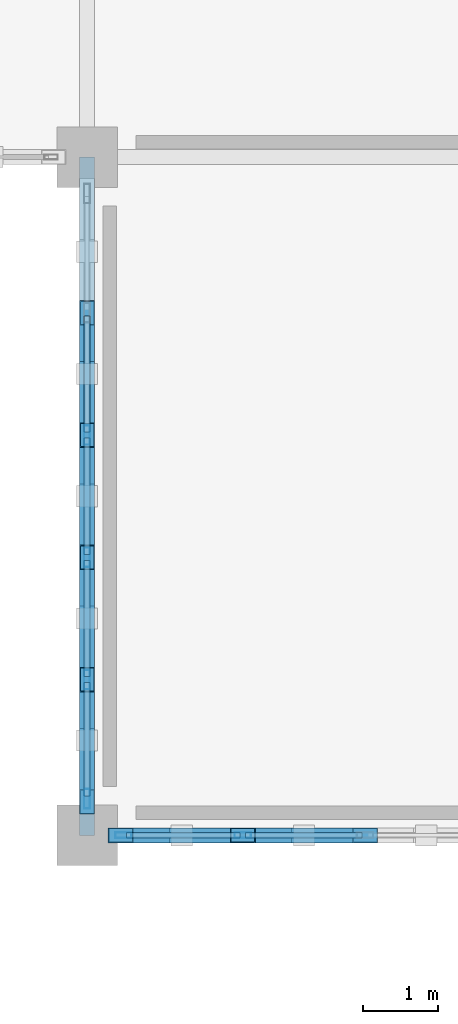
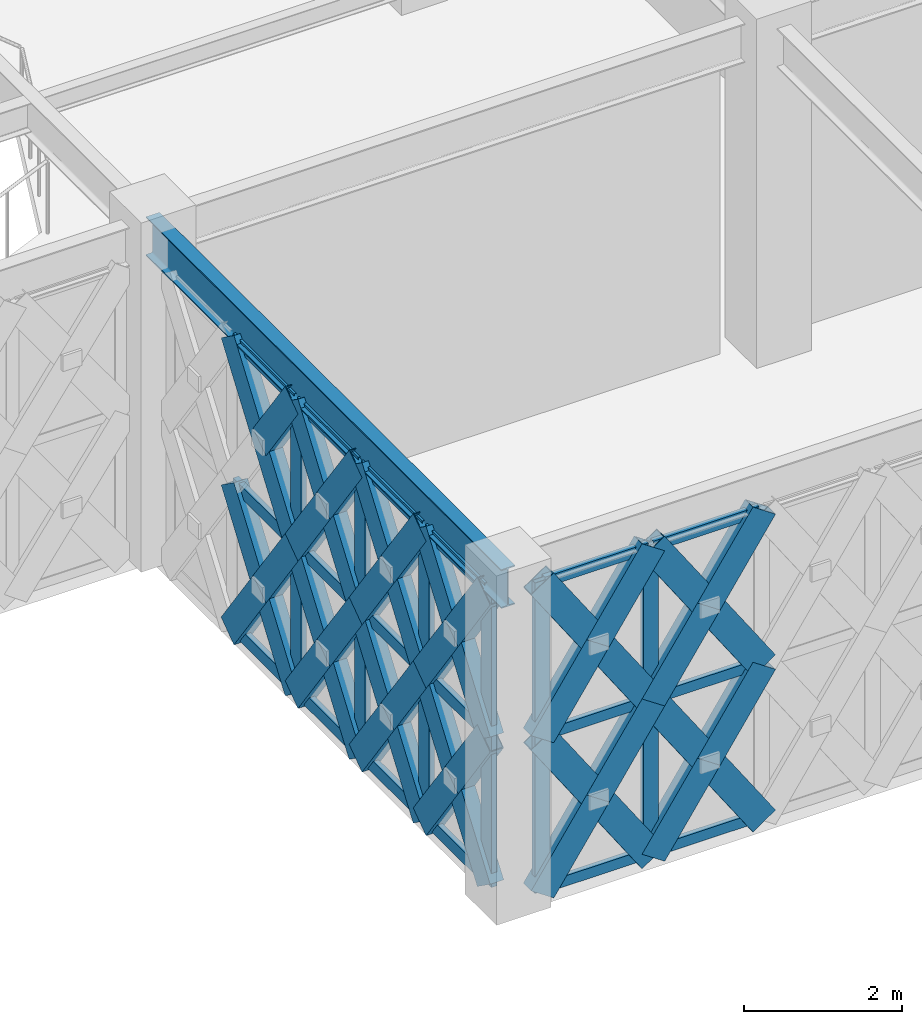
# One storey, part 2 of 86: 59 members, 1 beam, 2 elements without a shape of their own.
"""IFC4 building model written with IfcOpenShell, lengths in metres."""

from ifc_helpers import new_model, si_unit, direction, frame, origin, origin_2d, place, context, subcontext, project, spatial, hollow_rectangle, i_section, extrude, material, material_profile, profile_set, type_object, element, aggregate, save


model = new_model("IFC4")

# Units and contexts
model_context = context("Model", 3, precision=1e-05, world=origin(), true_north=direction((0.0, 1.0)))
body_context = subcontext(model_context, "Body", "Model", "MODEL_VIEW")
ifc_project = project(units=[si_unit("LENGTHUNIT", "METRE"), si_unit("AREAUNIT", "SQUARE_METRE"), si_unit("VOLUMEUNIT", "CUBIC_METRE"), si_unit("PLANEANGLEUNIT", "RADIAN"), si_unit("MASSUNIT", "GRAM", prefix="KILO")], contexts=[model_context])

# Site, building, storey
site_placement = place(None, origin())
site = spatial("IfcSite", under=ifc_project, at=site_placement, CompositionType="ELEMENT")
building_placement = place(site_placement, origin())
building = spatial("IfcBuilding", under=site, at=building_placement, Name="Haizhuo Lancet Aquarium", CompositionType="ELEMENT")
storey_placement = place(building_placement, frame((0.0, 0.0, 16.199951171875)))
storey = spatial("IfcBuildingStorey", under=building, at=storey_placement, Name="L03", CompositionType="ELEMENT", Elevation=16.199951171875)

# Beam
ifc_material_1 = material(Name="Steel S355", Category="steel")
ifc_material_profile_1 = material_profile(ifc_material_1, i_section(OverallWidth=0.199951171875, OverallDepth=0.60009765625, WebThickness=0.010986328125, FlangeThickness=0.01708984375, FilletRadius=0.02197265625, at=origin_2d()), Name="HN 600x200x11x17")
ifc_profile_set_1 = profile_set([ifc_material_profile_1], Name="Steel S355")
beam_type = type_object("IfcBeamType", Name="BM-ST-HN600", PredefinedType="BEAM", material=ifc_profile_set_1)
beam_placement = place(storey_placement, frame((-54.0, -36.0, 4.85009765625), z_axis=(0.0, 1.0, 0.0), x_axis=(-1.0, 0.0, 0.0)))
element("IfcBeam", 1, at=beam_placement, inside=storey, type_object=beam_type, Name="L03 V6 primary girder BM-L03-V6-014", PredefinedType="BEAM", context=body_context, shape_type="SweptSolid", body=[
    extrude(i_section(OverallWidth=0.199951171875, OverallDepth=0.60009765625, WebThickness=0.010986328125, FlangeThickness=0.01708984375, FilletRadius=0.02197265625, at=origin_2d()), origin(), (0.0, 0.0, 1.0), 9.0),
])

# Curtain wall, members
ifc_material_2 = material(Name="Aluminium 6063-T6", Category="aluminium")
curtain_wall_type_1 = type_object("IfcCurtainWallType", Name="CWD-8110x4800", PredefinedType="NOTDEFINED", material=ifc_material_2)
curtain_wall_1_placement = place(storey_placement, origin())
curtain_wall_1 = element("IfcCurtainWall", 2, at=curtain_wall_1_placement, inside=storey, type_object=curtain_wall_type_1, Name="L03 curtain wall CW-V6-L03-239", PredefinedType="NOTDEFINED")
ifc_material_profile_2 = material_profile(ifc_material_2, hollow_rectangle(XDim=0.074951171875, YDim=0.219970703125, WallThickness=0.0048828125, at=origin_2d()), Name="ALU-M 75x220x5")
ifc_profile_set_2 = profile_set([ifc_material_profile_2], Name="Aluminium 6063-T6")
member_type_1 = type_object("IfcMemberType", Name="CW-MUL-2", PredefinedType="MULLION", material=ifc_profile_set_2)
member_1_placement = place(storey_placement, frame((-51.93310546875, -36.0, 0.0), z_axis=(0.0, 0.0, 1.0), x_axis=(0.0, -1.0, 0.0)))
member_1 = element("IfcMember", 3, at=member_1_placement, type_object=member_type_1, Name="CWD-81x48 mullion 5", PredefinedType="MULLION", context=body_context, shape_type="SweptSolid", body=[
    extrude(hollow_rectangle(XDim=0.074951171875, YDim=0.219970703125, WallThickness=0.0048828125, at=origin_2d()), origin(), (0.0, 0.0, 1.0), 4.800048828125),
])
member_2_placement = place(storey_placement, frame((-53.51708984375, -36.0, 0.0), z_axis=(0.0, 0.0, 1.0), x_axis=(0.0, -1.0, 0.0)))
member_2 = element("IfcMember", 4, at=member_2_placement, type_object=member_type_1, Name="CWD-81x48 mullion 6", PredefinedType="MULLION", context=body_context, shape_type="SweptSolid", body=[
    extrude(hollow_rectangle(XDim=0.074951171875, YDim=0.219970703125, WallThickness=0.0048828125, at=origin_2d()), origin(), (0.0, 0.0, 1.0), 4.800048828125),
])

curtain_wall_type_2 = type_object("IfcCurtainWallType", Name="CWD-8110x4550", PredefinedType="NOTDEFINED", material=ifc_material_2)
curtain_wall_2_placement = place(storey_placement, origin())
curtain_wall_2 = element("IfcCurtainWall", 5, at=curtain_wall_2_placement, inside=storey, type_object=curtain_wall_type_2, Name="L03 curtain wall CW-V6-L03-240", PredefinedType="NOTDEFINED")
ifc_material_profile_3 = material_profile(ifc_material_2, hollow_rectangle(XDim=0.080078125, YDim=0.260009765625, WallThickness=0.0048828125, at=origin_2d()), Name="ALU-M 80x260x5")
ifc_profile_set_3 = profile_set([ifc_material_profile_3], Name="Aluminium 6063-T6")
member_type_2 = type_object("IfcMemberType", Name="CW-MUL-3", PredefinedType="MULLION", material=ifc_profile_set_3)
member_3_placement = place(storey_placement, frame((-54.0, -35.514892578125, 0.0), z_axis=(0.0, 0.0, 1.0), x_axis=(-1.0, 0.0, 0.0)))
member_3 = element("IfcMember", 6, at=member_3_placement, type_object=member_type_2, Name="CWD-81x45 mullion 1", PredefinedType="MULLION", context=body_context, shape_type="SweptSolid", body=[
    extrude(hollow_rectangle(XDim=0.080078125, YDim=0.260009765625, WallThickness=0.0048828125, at=origin_2d()), origin(), (0.0, 0.0, 1.0), 4.550048828125),
])
member_4_placement = place(storey_placement, frame((-54.0, -33.93310546875, 0.0), z_axis=(0.0, 0.0, 1.0), x_axis=(-1.0, 0.0, 0.0)))
member_4 = element("IfcMember", 7, at=member_4_placement, type_object=member_type_2, Name="CWD-81x45 mullion 2", PredefinedType="MULLION", context=body_context, shape_type="SweptSolid", body=[
    extrude(hollow_rectangle(XDim=0.080078125, YDim=0.260009765625, WallThickness=0.0048828125, at=origin_2d()), origin(), (0.0, 0.0, 1.0), 4.550048828125),
])
member_5_placement = place(storey_placement, frame((-54.0, -32.31103515625, 0.0), z_axis=(0.0, 0.0, 1.0), x_axis=(-1.0, 0.0, 0.0)))
member_5 = element("IfcMember", 8, at=member_5_placement, type_object=member_type_2, Name="CWD-81x45 mullion 3", PredefinedType="MULLION", context=body_context, shape_type="SweptSolid", body=[
    extrude(hollow_rectangle(XDim=0.080078125, YDim=0.260009765625, WallThickness=0.0048828125, at=origin_2d()), origin(), (0.0, 0.0, 1.0), 4.550048828125),
])
member_6_placement = place(storey_placement, frame((-54.0, -30.68896484375, 0.0), z_axis=(0.0, 0.0, 1.0), x_axis=(-1.0, 0.0, 0.0)))
member_6 = element("IfcMember", 9, at=member_6_placement, type_object=member_type_2, Name="CWD-81x45 mullion 4", PredefinedType="MULLION", context=body_context, shape_type="SweptSolid", body=[
    extrude(hollow_rectangle(XDim=0.080078125, YDim=0.260009765625, WallThickness=0.0048828125, at=origin_2d()), origin(), (0.0, 0.0, 1.0), 4.550048828125),
])

# Member
ifc_material_profile_4 = material_profile(ifc_material_2, hollow_rectangle(XDim=0.074951171875, YDim=0.159912109375, WallThickness=0.00390625, at=origin_2d()), Name="ALU-T 75x160x4")
ifc_profile_set_4 = profile_set([ifc_material_profile_4], Name="Aluminium 6063-T6")
member_type_3 = type_object("IfcMemberType", Name="CW-TRN-2", PredefinedType="NOTDEFINED", material=ifc_profile_set_4)
member_7_placement = place(storey_placement, frame((-50.34912109375, -36.0, 0.0380859375), z_axis=(-1.0, 0.0, 0.0), x_axis=(0.0, -1.0, 0.0)))
member_7 = element("IfcMember", 10, at=member_7_placement, type_object=member_type_3, Name="CWD-81x48 transom 4.1", ObjectType="TRANSOM", PredefinedType="USERDEFINED", context=body_context, shape_type="SweptSolid", body=[
    extrude(hollow_rectangle(XDim=0.074951171875, YDim=0.159912109375, WallThickness=0.00390625, at=origin_2d()), origin(), (0.0, 0.0, 1.0), 1.5458984375),
])

member_8_placement = place(storey_placement, frame((-50.34912109375, -36.0, 2.400146484375), z_axis=(-1.0, 0.0, 0.0), x_axis=(0.0, -1.0, 0.0)))
member_8 = element("IfcMember", 11, at=member_8_placement, type_object=member_type_3, Name="CWD-81x48 transom 4.2", ObjectType="TRANSOM", PredefinedType="USERDEFINED", context=body_context, shape_type="SweptSolid", body=[
    extrude(hollow_rectangle(XDim=0.074951171875, YDim=0.159912109375, WallThickness=0.00390625, at=origin_2d()), origin(), (0.0, 0.0, 1.0), 1.5458984375),
])

member_9_placement = place(storey_placement, frame((-50.34912109375, -36.0, 4.761962890625), z_axis=(-1.0, 0.0, 0.0), x_axis=(0.0, -1.0, 0.0)))
member_9 = element("IfcMember", 12, at=member_9_placement, type_object=member_type_3, Name="CWD-81x48 transom 4.3", ObjectType="TRANSOM", PredefinedType="USERDEFINED", context=body_context, shape_type="SweptSolid", body=[
    extrude(hollow_rectangle(XDim=0.074951171875, YDim=0.159912109375, WallThickness=0.00390625, at=origin_2d()), origin(), (0.0, 0.0, 1.0), 1.5458984375),
])

member_10_placement = place(storey_placement, frame((-51.970947265625, -36.0, 0.0380859375), z_axis=(-1.0, 0.0, 0.0), x_axis=(0.0, -1.0, 0.0)))
member_10 = element("IfcMember", 13, at=member_10_placement, type_object=member_type_3, Name="CWD-81x48 transom 5.1", ObjectType="TRANSOM", PredefinedType="USERDEFINED", context=body_context, shape_type="SweptSolid", body=[
    extrude(hollow_rectangle(XDim=0.074951171875, YDim=0.159912109375, WallThickness=0.00390625, at=origin_2d()), origin(), (0.0, 0.0, 1.0), 1.509033203125),
])

member_11_placement = place(storey_placement, frame((-51.970947265625, -36.0, 2.400146484375), z_axis=(-1.0, 0.0, 0.0), x_axis=(0.0, -1.0, 0.0)))
member_11 = element("IfcMember", 14, at=member_11_placement, type_object=member_type_3, Name="CWD-81x48 transom 5.2", ObjectType="TRANSOM", PredefinedType="USERDEFINED", context=body_context, shape_type="SweptSolid", body=[
    extrude(hollow_rectangle(XDim=0.074951171875, YDim=0.159912109375, WallThickness=0.00390625, at=origin_2d()), origin(), (0.0, 0.0, 1.0), 1.509033203125),
])

member_12_placement = place(storey_placement, frame((-51.970947265625, -36.0, 4.761962890625), z_axis=(-1.0, 0.0, 0.0), x_axis=(0.0, -1.0, 0.0)))
member_12 = element("IfcMember", 15, at=member_12_placement, type_object=member_type_3, Name="CWD-81x48 transom 5.3", ObjectType="TRANSOM", PredefinedType="USERDEFINED", context=body_context, shape_type="SweptSolid", body=[
    extrude(hollow_rectangle(XDim=0.074951171875, YDim=0.159912109375, WallThickness=0.00390625, at=origin_2d()), origin(), (0.0, 0.0, 1.0), 1.509033203125),
])

aggregate(curtain_wall_1, [member_1, member_2, member_7, member_8, member_9, member_10, member_11, member_12])

ifc_material_profile_5 = material_profile(ifc_material_2, hollow_rectangle(XDim=0.080078125, YDim=0.18994140625, WallThickness=0.0048828125, at=origin_2d()), Name="ALU-T 80x190x5")
ifc_profile_set_5 = profile_set([ifc_material_profile_5], Name="Aluminium 6063-T6")
member_type_4 = type_object("IfcMemberType", Name="CW-TRN-3", PredefinedType="NOTDEFINED", material=ifc_profile_set_5)
member_13_placement = place(storey_placement, frame((-54.0, -35.47509765625, 0.0400390625), z_axis=(0.0, 1.0, 0.0), x_axis=(-1.0, 0.0, 0.0)))
member_13 = element("IfcMember", 16, at=member_13_placement, type_object=member_type_4, Name="CWD-81x45 transom 1.1", ObjectType="TRANSOM", PredefinedType="USERDEFINED", context=body_context, shape_type="SweptSolid", body=[
    extrude(hollow_rectangle(XDim=0.080078125, YDim=0.18994140625, WallThickness=0.0048828125, at=origin_2d()), origin(), (0.0, 0.0, 1.0), 1.502197265625),
])

member_14_placement = place(storey_placement, frame((-54.0, -35.47509765625, 2.275146484375), z_axis=(0.0, 1.0, 0.0), x_axis=(-1.0, 0.0, 0.0)))
member_14 = element("IfcMember", 17, at=member_14_placement, type_object=member_type_4, Name="CWD-81x45 transom 1.2", ObjectType="TRANSOM", PredefinedType="USERDEFINED", context=body_context, shape_type="SweptSolid", body=[
    extrude(hollow_rectangle(XDim=0.080078125, YDim=0.18994140625, WallThickness=0.0048828125, at=origin_2d()), origin(), (0.0, 0.0, 1.0), 1.502197265625),
])

member_15_placement = place(storey_placement, frame((-54.0, -35.47509765625, 4.510009765625), z_axis=(0.0, 1.0, 0.0), x_axis=(-1.0, 0.0, 0.0)))
member_15 = element("IfcMember", 18, at=member_15_placement, type_object=member_type_4, Name="CWD-81x45 transom 1.3", ObjectType="TRANSOM", PredefinedType="USERDEFINED", context=body_context, shape_type="SweptSolid", body=[
    extrude(hollow_rectangle(XDim=0.080078125, YDim=0.18994140625, WallThickness=0.0048828125, at=origin_2d()), origin(), (0.0, 0.0, 1.0), 1.502197265625),
])

member_16_placement = place(storey_placement, frame((-54.0, -33.89306640625, 0.0400390625), z_axis=(0.0, 1.0, 0.0), x_axis=(-1.0, 0.0, 0.0)))
member_16 = element("IfcMember", 19, at=member_16_placement, type_object=member_type_4, Name="CWD-81x45 transom 2.1", ObjectType="TRANSOM", PredefinedType="USERDEFINED", context=body_context, shape_type="SweptSolid", body=[
    extrude(hollow_rectangle(XDim=0.080078125, YDim=0.18994140625, WallThickness=0.0048828125, at=origin_2d()), origin(), (0.0, 0.0, 1.0), 1.5419921875),
])

member_17_placement = place(storey_placement, frame((-54.0, -33.89306640625, 2.275146484375), z_axis=(0.0, 1.0, 0.0), x_axis=(-1.0, 0.0, 0.0)))
member_17 = element("IfcMember", 20, at=member_17_placement, type_object=member_type_4, Name="CWD-81x45 transom 2.2", ObjectType="TRANSOM", PredefinedType="USERDEFINED", context=body_context, shape_type="SweptSolid", body=[
    extrude(hollow_rectangle(XDim=0.080078125, YDim=0.18994140625, WallThickness=0.0048828125, at=origin_2d()), origin(), (0.0, 0.0, 1.0), 1.5419921875),
])

member_18_placement = place(storey_placement, frame((-54.0, -33.89306640625, 4.510009765625), z_axis=(0.0, 1.0, 0.0), x_axis=(-1.0, 0.0, 0.0)))
member_18 = element("IfcMember", 21, at=member_18_placement, type_object=member_type_4, Name="CWD-81x45 transom 2.3", ObjectType="TRANSOM", PredefinedType="USERDEFINED", context=body_context, shape_type="SweptSolid", body=[
    extrude(hollow_rectangle(XDim=0.080078125, YDim=0.18994140625, WallThickness=0.0048828125, at=origin_2d()), origin(), (0.0, 0.0, 1.0), 1.5419921875),
])

member_19_placement = place(storey_placement, frame((-54.0, -32.27099609375, 0.0400390625), z_axis=(0.0, 1.0, 0.0), x_axis=(-1.0, 0.0, 0.0)))
member_19 = element("IfcMember", 22, at=member_19_placement, type_object=member_type_4, Name="CWD-81x45 transom 3.1", ObjectType="TRANSOM", PredefinedType="USERDEFINED", context=body_context, shape_type="SweptSolid", body=[
    extrude(hollow_rectangle(XDim=0.080078125, YDim=0.18994140625, WallThickness=0.0048828125, at=origin_2d()), origin(), (0.0, 0.0, 1.0), 1.5419921875),
])

member_20_placement = place(storey_placement, frame((-54.0, -32.27099609375, 2.275146484375), z_axis=(0.0, 1.0, 0.0), x_axis=(-1.0, 0.0, 0.0)))
member_20 = element("IfcMember", 23, at=member_20_placement, type_object=member_type_4, Name="CWD-81x45 transom 3.2", ObjectType="TRANSOM", PredefinedType="USERDEFINED", context=body_context, shape_type="SweptSolid", body=[
    extrude(hollow_rectangle(XDim=0.080078125, YDim=0.18994140625, WallThickness=0.0048828125, at=origin_2d()), origin(), (0.0, 0.0, 1.0), 1.5419921875),
])

member_21_placement = place(storey_placement, frame((-54.0, -32.27099609375, 4.510009765625), z_axis=(0.0, 1.0, 0.0), x_axis=(-1.0, 0.0, 0.0)))
member_21 = element("IfcMember", 24, at=member_21_placement, type_object=member_type_4, Name="CWD-81x45 transom 3.3", ObjectType="TRANSOM", PredefinedType="USERDEFINED", context=body_context, shape_type="SweptSolid", body=[
    extrude(hollow_rectangle(XDim=0.080078125, YDim=0.18994140625, WallThickness=0.0048828125, at=origin_2d()), origin(), (0.0, 0.0, 1.0), 1.5419921875),
])

member_22_placement = place(storey_placement, frame((-54.0, -30.64892578125, 0.0400390625), z_axis=(0.0, 1.0, 0.0), x_axis=(-1.0, 0.0, 0.0)))
member_22 = element("IfcMember", 25, at=member_22_placement, type_object=member_type_4, Name="CWD-81x45 transom 4.1", ObjectType="TRANSOM", PredefinedType="USERDEFINED", context=body_context, shape_type="SweptSolid", body=[
    extrude(hollow_rectangle(XDim=0.080078125, YDim=0.18994140625, WallThickness=0.0048828125, at=origin_2d()), origin(), (0.0, 0.0, 1.0), 1.5419921875),
])

member_23_placement = place(storey_placement, frame((-54.0, -30.64892578125, 2.275146484375), z_axis=(0.0, 1.0, 0.0), x_axis=(-1.0, 0.0, 0.0)))
member_23 = element("IfcMember", 26, at=member_23_placement, type_object=member_type_4, Name="CWD-81x45 transom 4.2", ObjectType="TRANSOM", PredefinedType="USERDEFINED", context=body_context, shape_type="SweptSolid", body=[
    extrude(hollow_rectangle(XDim=0.080078125, YDim=0.18994140625, WallThickness=0.0048828125, at=origin_2d()), origin(), (0.0, 0.0, 1.0), 1.5419921875),
])

member_24_placement = place(storey_placement, frame((-54.0, -30.64892578125, 4.510009765625), z_axis=(0.0, 1.0, 0.0), x_axis=(-1.0, 0.0, 0.0)))
member_24 = element("IfcMember", 27, at=member_24_placement, type_object=member_type_4, Name="CWD-81x45 transom 4.3", ObjectType="TRANSOM", PredefinedType="USERDEFINED", context=body_context, shape_type="SweptSolid", body=[
    extrude(hollow_rectangle(XDim=0.080078125, YDim=0.18994140625, WallThickness=0.0048828125, at=origin_2d()), origin(), (0.0, 0.0, 1.0), 1.5419921875),
])

aggregate(curtain_wall_2, [member_3, member_4, member_5, member_6, member_13, member_14, member_15, member_16, member_17, member_18, member_19, member_20, member_21, member_22, member_23, member_24])

# Members
ifc_material_profile_6 = material_profile(ifc_material_1, hollow_rectangle(XDim=0.199951171875, YDim=0.39990234375, WallThickness=0.011962890625, at=origin_2d()), Name="RHS 200x400x12")
ifc_profile_set_6 = profile_set([ifc_material_profile_6], Name="Steel S355")
member_type_5 = type_object("IfcMemberType", Name="MEM-LB-RHS200x400", PredefinedType="BRACE", material=ifc_profile_set_6)
member_25_placement = place(storey_placement, frame((-50.31103515625, -36.0, 0.0), z_axis=(-0.5599402913, 0.0, 0.828532962639), x_axis=(0.0, -1.0, 0.0)))
element("IfcMember", 28, at=member_25_placement, inside=storey, type_object=member_type_5, Name="Gothic lancet continuous diagonal brace CW-V6-L03-239 7A", PredefinedType="BRACE", context=body_context, shape_type="SweptSolid", body=[
    extrude(hollow_rectangle(XDim=0.199951171875, YDim=0.39990234375, WallThickness=0.011962890625, at=origin_2d()), origin(), (0.0, 0.0, 1.0), 2.89697265625),
])
member_26_placement = place(storey_placement, frame((-51.93310546875, -36.0, 0.0), z_axis=(0.559979392223, 0.0, 0.828506536055), x_axis=(0.0, 1.0, 0.0)))
element("IfcMember", 29, at=member_26_placement, inside=storey, type_object=member_type_5, Name="Gothic lancet split diagonal brace CW-V6-L03-239 7B1", PredefinedType="BRACE", context=body_context, shape_type="SweptSolid", body=[
    extrude(hollow_rectangle(XDim=0.199951171875, YDim=0.39990234375, WallThickness=0.011962890625, at=origin_2d()), origin(), (0.0, 0.0, 1.0), 1.4482421875),
])
member_27_placement = place(storey_placement, frame((-51.1220703125, -36.0, 1.199951171875), z_axis=(0.559901194591, 0.0, 0.828559383687), x_axis=(0.0, 1.0, 0.0)))
element("IfcMember", 30, at=member_27_placement, inside=storey, type_object=member_type_5, Name="Gothic lancet split diagonal brace CW-V6-L03-239 7B2", PredefinedType="BRACE", context=body_context, shape_type="SweptSolid", body=[
    extrude(hollow_rectangle(XDim=0.199951171875, YDim=0.39990234375, WallThickness=0.011962890625, at=origin_2d()), origin(), (0.0, 0.0, 1.0), 1.448486328125),
])
member_28_placement = place(storey_placement, frame((-50.31103515625, -36.0, 2.400146484375), z_axis=(-0.559979392223, 0.0, 0.828506536055), x_axis=(0.0, -1.0, 0.0)))
element("IfcMember", 31, at=member_28_placement, inside=storey, type_object=member_type_5, Name="Gothic lancet continuous diagonal brace CW-V6-L03-239 8A", PredefinedType="BRACE", context=body_context, shape_type="SweptSolid", body=[
    extrude(hollow_rectangle(XDim=0.199951171875, YDim=0.39990234375, WallThickness=0.011962890625, at=origin_2d()), origin(), (0.0, 0.0, 1.0), 2.896728515625),
])
for number, where, z_axis, x_axis, name in (
    (32, (-51.93310546875, -36.0, 2.400146484375), (0.559979392223, 0.0, 0.828506536055), (0.0, 1.0, 0.0), "Gothic lancet split diagonal brace CW-V6-L03-239 8B1"),
    (33, (-51.1220703125, -36.0, 3.60009765625), (0.559979392223, 0.0, 0.828506536055), (0.0, 1.0, 0.0), "Gothic lancet split diagonal brace CW-V6-L03-239 8B2"),
):
    element("IfcMember", number, at=place(storey_placement, frame(where, z_axis=z_axis, x_axis=x_axis)), inside=storey, type_object=member_type_5, Name=name, PredefinedType="BRACE", context=body_context, shape_type="SweptSolid", body=[
        extrude(hollow_rectangle(XDim=0.199951171875, YDim=0.39990234375, WallThickness=0.011962890625, at=origin_2d()), origin(), (0.0, 0.0, 1.0), 1.4482421875),
    ])
member_29_placement = place(storey_placement, frame((-51.93310546875, -36.0, 0.0), z_axis=(-0.559882433433, 0.0, 0.82857206128), x_axis=(0.0, -1.0, 0.0)))
element("IfcMember", 34, at=member_29_placement, inside=storey, type_object=member_type_5, Name="Gothic lancet continuous diagonal brace CW-V6-L03-239 9A", PredefinedType="BRACE", context=body_context, shape_type="SweptSolid", body=[
    extrude(hollow_rectangle(XDim=0.199951171875, YDim=0.39990234375, WallThickness=0.011962890625, at=origin_2d()), origin(), (0.0, 0.0, 1.0), 2.896728515625),
])
member_30_placement = place(storey_placement, frame((-53.554931640625, -36.0, 0.0), z_axis=(0.559979392223, 0.0, 0.828506536055), x_axis=(0.0, 1.0, 0.0)))
element("IfcMember", 35, at=member_30_placement, inside=storey, type_object=member_type_5, Name="Gothic lancet split diagonal brace CW-V6-L03-239 9B1", PredefinedType="BRACE", context=body_context, shape_type="SweptSolid", body=[
    extrude(hollow_rectangle(XDim=0.199951171875, YDim=0.39990234375, WallThickness=0.011962890625, at=origin_2d()), origin(), (0.0, 0.0, 1.0), 1.4482421875),
])
member_31_placement = place(storey_placement, frame((-52.743896484375, -36.0, 1.199951171875), z_axis=(0.559785471368, 0.0, 0.82863757219), x_axis=(0.0, 1.0, 0.0)))
element("IfcMember", 36, at=member_31_placement, inside=storey, type_object=member_type_5, Name="Gothic lancet split diagonal brace CW-V6-L03-239 9B2", PredefinedType="BRACE", context=body_context, shape_type="SweptSolid", body=[
    extrude(hollow_rectangle(XDim=0.199951171875, YDim=0.39990234375, WallThickness=0.011962890625, at=origin_2d()), origin(), (0.0, 0.0, 1.0), 1.448486328125),
])
member_32_placement = place(storey_placement, frame((-51.93310546875, -36.0, 2.400146484375), z_axis=(-0.559921534006, 0.0, 0.82854563891), x_axis=(0.0, -1.0, 0.0)))
element("IfcMember", 37, at=member_32_placement, inside=storey, type_object=member_type_5, Name="Gothic lancet continuous diagonal brace CW-V6-L03-239 10A", PredefinedType="BRACE", context=body_context, shape_type="SweptSolid", body=[
    extrude(hollow_rectangle(XDim=0.199951171875, YDim=0.39990234375, WallThickness=0.011962890625, at=origin_2d()), origin(), (0.0, 0.0, 1.0), 2.896484375),
])
for number, where, z_axis, x_axis, name in (
    (38, (-53.554931640625, -36.0, 2.400146484375), (0.559979392223, 0.0, 0.828506536055), (0.0, 1.0, 0.0), "Gothic lancet split diagonal brace CW-V6-L03-239 10B1"),
    (39, (-52.743896484375, -36.0, 3.60009765625), (0.559863667597, 0.0, 0.828584741415), (0.0, 1.0, 0.0), "Gothic lancet split diagonal brace CW-V6-L03-239 10B2"),
):
    element("IfcMember", number, at=place(storey_placement, frame(where, z_axis=z_axis, x_axis=x_axis)), inside=storey, type_object=member_type_5, Name=name, PredefinedType="BRACE", context=body_context, shape_type="SweptSolid", body=[
        extrude(hollow_rectangle(XDim=0.199951171875, YDim=0.39990234375, WallThickness=0.011962890625, at=origin_2d()), origin(), (0.0, 0.0, 1.0), 1.4482421875),
    ])
member_33_placement = place(storey_placement, frame((-54.0, -35.554931640625, 0.0), z_axis=(0.0, 0.580460961116, 0.81428807717), x_axis=(-1.0, 0.0, 0.0)))
element("IfcMember", 40, at=member_33_placement, inside=storey, type_object=member_type_5, Name="Gothic lancet continuous diagonal brace CW-V6-L03-240 1A", PredefinedType="BRACE", context=body_context, shape_type="SweptSolid", body=[
    extrude(hollow_rectangle(XDim=0.199951171875, YDim=0.39990234375, WallThickness=0.011962890625, at=origin_2d()), origin(), (0.0, 0.0, 1.0), 2.7939453125),
])
member_34_placement = place(storey_placement, frame((-54.0, -33.93310546875, 0.0), z_axis=(0.0, -0.580609578331, 0.814182115715), x_axis=(1.0, 0.0, 0.0)))
element("IfcMember", 41, at=member_34_placement, inside=storey, type_object=member_type_5, Name="Gothic lancet split diagonal brace CW-V6-L03-240 1B1", PredefinedType="BRACE", context=body_context, shape_type="SweptSolid", body=[
    extrude(hollow_rectangle(XDim=0.199951171875, YDim=0.39990234375, WallThickness=0.011962890625, at=origin_2d()), origin(), (0.0, 0.0, 1.0), 1.396484375),
])
member_35_placement = place(storey_placement, frame((-54.0, -34.743896484375, 1.136962890625), z_axis=(0.0, -0.580312445357, 0.814393925422), x_axis=(1.0, 0.0, 0.0)))
element("IfcMember", 42, at=member_35_placement, inside=storey, type_object=member_type_5, Name="Gothic lancet split diagonal brace CW-V6-L03-240 1B2", PredefinedType="BRACE", context=body_context, shape_type="SweptSolid", body=[
    extrude(hollow_rectangle(XDim=0.199951171875, YDim=0.39990234375, WallThickness=0.011962890625, at=origin_2d()), origin(), (0.0, 0.0, 1.0), 1.397705078125),
])
member_36_placement = place(storey_placement, frame((-54.0, -35.554931640625, 2.275146484375), z_axis=(0.0, 0.58050226424, 0.814258632875), x_axis=(-1.0, 0.0, 0.0)))
element("IfcMember", 43, at=member_36_placement, inside=storey, type_object=member_type_5, Name="Gothic lancet continuous diagonal brace CW-V6-L03-240 2A", PredefinedType="BRACE", context=body_context, shape_type="SweptSolid", body=[
    extrude(hollow_rectangle(XDim=0.199951171875, YDim=0.39990234375, WallThickness=0.011962890625, at=origin_2d()), origin(), (0.0, 0.0, 1.0), 2.7939453125),
])
member_37_placement = place(storey_placement, frame((-54.0, -33.93310546875, 2.275146484375), z_axis=(0.0, -0.580279135253, 0.814417660166), x_axis=(1.0, 0.0, 0.0)))
element("IfcMember", 44, at=member_37_placement, inside=storey, type_object=member_type_5, Name="Gothic lancet split diagonal brace CW-V6-L03-240 2B1", PredefinedType="BRACE", context=body_context, shape_type="SweptSolid", body=[
    extrude(hollow_rectangle(XDim=0.199951171875, YDim=0.39990234375, WallThickness=0.011962890625, at=origin_2d()), origin(), (0.0, 0.0, 1.0), 1.397216796875),
])
member_38_placement = place(storey_placement, frame((-54.0, -34.743896484375, 3.4130859375), z_axis=(0.0, -0.580725454015, 0.814099470003), x_axis=(1.0, 0.0, 0.0)))
element("IfcMember", 45, at=member_38_placement, inside=storey, type_object=member_type_5, Name="Gothic lancet split diagonal brace CW-V6-L03-240 2B2", PredefinedType="BRACE", context=body_context, shape_type="SweptSolid", body=[
    extrude(hollow_rectangle(XDim=0.199951171875, YDim=0.39990234375, WallThickness=0.011962890625, at=origin_2d()), origin(), (0.0, 0.0, 1.0), 1.396484375),
])
member_39_placement = place(storey_placement, frame((-54.0, -33.93310546875, 0.0), z_axis=(0.0, 0.580518894897, 0.814246776271), x_axis=(-1.0, 0.0, 0.0)))
element("IfcMember", 46, at=member_39_placement, inside=storey, type_object=member_type_5, Name="Gothic lancet continuous diagonal brace CW-V6-L03-240 3A", PredefinedType="BRACE", context=body_context, shape_type="SweptSolid", body=[
    extrude(hollow_rectangle(XDim=0.199951171875, YDim=0.39990234375, WallThickness=0.011962890625, at=origin_2d()), origin(), (0.0, 0.0, 1.0), 2.794189453125),
])
member_40_placement = place(storey_placement, frame((-54.0, -32.31103515625, 0.0), z_axis=(0.0, -0.580725454015, 0.814099470003), x_axis=(1.0, 0.0, 0.0)))
element("IfcMember", 47, at=member_40_placement, inside=storey, type_object=member_type_5, Name="Gothic lancet split diagonal brace CW-V6-L03-240 3B1", PredefinedType="BRACE", context=body_context, shape_type="SweptSolid", body=[
    extrude(hollow_rectangle(XDim=0.199951171875, YDim=0.39990234375, WallThickness=0.011962890625, at=origin_2d()), origin(), (0.0, 0.0, 1.0), 1.396484375),
])
member_41_placement = place(storey_placement, frame((-54.0, -33.1220703125, 1.136962890625), z_axis=(0.0, -0.580312445357, 0.814393925422), x_axis=(1.0, 0.0, 0.0)))
element("IfcMember", 48, at=member_41_placement, inside=storey, type_object=member_type_5, Name="Gothic lancet split diagonal brace CW-V6-L03-240 3B2", PredefinedType="BRACE", context=body_context, shape_type="SweptSolid", body=[
    extrude(hollow_rectangle(XDim=0.199951171875, YDim=0.39990234375, WallThickness=0.011962890625, at=origin_2d()), origin(), (0.0, 0.0, 1.0), 1.397705078125),
])
member_42_placement = place(storey_placement, frame((-54.0, -33.93310546875, 2.275146484375), z_axis=(0.0, 0.580560197953, 0.814217327593), x_axis=(-1.0, 0.0, 0.0)))
element("IfcMember", 49, at=member_42_placement, inside=storey, type_object=member_type_5, Name="Gothic lancet continuous diagonal brace CW-V6-L03-240 4A", PredefinedType="BRACE", context=body_context, shape_type="SweptSolid", body=[
    extrude(hollow_rectangle(XDim=0.199951171875, YDim=0.39990234375, WallThickness=0.011962890625, at=origin_2d()), origin(), (0.0, 0.0, 1.0), 2.7939453125),
])
member_43_placement = place(storey_placement, frame((-54.0, -32.31103515625, 2.275146484375), z_axis=(0.0, -0.580395012026, 0.814335084603), x_axis=(1.0, 0.0, 0.0)))
element("IfcMember", 50, at=member_43_placement, inside=storey, type_object=member_type_5, Name="Gothic lancet split diagonal brace CW-V6-L03-240 4B1", PredefinedType="BRACE", context=body_context, shape_type="SweptSolid", body=[
    extrude(hollow_rectangle(XDim=0.199951171875, YDim=0.39990234375, WallThickness=0.011962890625, at=origin_2d()), origin(), (0.0, 0.0, 1.0), 1.3974609375),
])
member_44_placement = place(storey_placement, frame((-54.0, -33.1220703125, 3.4130859375), z_axis=(0.0, -0.580725454015, 0.814099470003), x_axis=(1.0, 0.0, 0.0)))
element("IfcMember", 51, at=member_44_placement, inside=storey, type_object=member_type_5, Name="Gothic lancet split diagonal brace CW-V6-L03-240 4B2", PredefinedType="BRACE", context=body_context, shape_type="SweptSolid", body=[
    extrude(hollow_rectangle(XDim=0.199951171875, YDim=0.39990234375, WallThickness=0.011962890625, at=origin_2d()), origin(), (0.0, 0.0, 1.0), 1.396484375),
])
member_45_placement = place(storey_placement, frame((-54.0, -32.31103515625, 0.0), z_axis=(0.0, 0.580518894897, 0.814246776271), x_axis=(-1.0, 0.0, 0.0)))
element("IfcMember", 52, at=member_45_placement, inside=storey, type_object=member_type_5, Name="Gothic lancet continuous diagonal brace CW-V6-L03-240 5A", PredefinedType="BRACE", context=body_context, shape_type="SweptSolid", body=[
    extrude(hollow_rectangle(XDim=0.199951171875, YDim=0.39990234375, WallThickness=0.011962890625, at=origin_2d()), origin(), (0.0, 0.0, 1.0), 2.794189453125),
])
member_46_placement = place(storey_placement, frame((-54.0, -30.68896484375, 0.0), z_axis=(0.0, -0.580725454015, 0.814099470003), x_axis=(1.0, 0.0, 0.0)))
element("IfcMember", 53, at=member_46_placement, inside=storey, type_object=member_type_5, Name="Gothic lancet split diagonal brace CW-V6-L03-240 5B1", PredefinedType="BRACE", context=body_context, shape_type="SweptSolid", body=[
    extrude(hollow_rectangle(XDim=0.199951171875, YDim=0.39990234375, WallThickness=0.011962890625, at=origin_2d()), origin(), (0.0, 0.0, 1.0), 1.396484375),
])
member_47_placement = place(storey_placement, frame((-54.0, -31.5, 1.136962890625), z_axis=(0.0, -0.580312445357, 0.814393925422), x_axis=(1.0, 0.0, 0.0)))
element("IfcMember", 54, at=member_47_placement, inside=storey, type_object=member_type_5, Name="Gothic lancet split diagonal brace CW-V6-L03-240 5B2", PredefinedType="BRACE", context=body_context, shape_type="SweptSolid", body=[
    extrude(hollow_rectangle(XDim=0.199951171875, YDim=0.39990234375, WallThickness=0.011962890625, at=origin_2d()), origin(), (0.0, 0.0, 1.0), 1.397705078125),
])
member_48_placement = place(storey_placement, frame((-54.0, -32.31103515625, 2.275146484375), z_axis=(0.0, 0.580560197953, 0.814217327593), x_axis=(-1.0, 0.0, 0.0)))
element("IfcMember", 55, at=member_48_placement, inside=storey, type_object=member_type_5, Name="Gothic lancet continuous diagonal brace CW-V6-L03-240 6A", PredefinedType="BRACE", context=body_context, shape_type="SweptSolid", body=[
    extrude(hollow_rectangle(XDim=0.199951171875, YDim=0.39990234375, WallThickness=0.011962890625, at=origin_2d()), origin(), (0.0, 0.0, 1.0), 2.7939453125),
])
member_49_placement = place(storey_placement, frame((-54.0, -30.68896484375, 2.275146484375), z_axis=(0.0, -0.580395012026, 0.814335084603), x_axis=(1.0, 0.0, 0.0)))
element("IfcMember", 56, at=member_49_placement, inside=storey, type_object=member_type_5, Name="Gothic lancet split diagonal brace CW-V6-L03-240 6B1", PredefinedType="BRACE", context=body_context, shape_type="SweptSolid", body=[
    extrude(hollow_rectangle(XDim=0.199951171875, YDim=0.39990234375, WallThickness=0.011962890625, at=origin_2d()), origin(), (0.0, 0.0, 1.0), 1.3974609375),
])
member_50_placement = place(storey_placement, frame((-54.0, -31.5, 3.4130859375), z_axis=(0.0, -0.580725454015, 0.814099470003), x_axis=(1.0, 0.0, 0.0)))
element("IfcMember", 57, at=member_50_placement, inside=storey, type_object=member_type_5, Name="Gothic lancet split diagonal brace CW-V6-L03-240 6B2", PredefinedType="BRACE", context=body_context, shape_type="SweptSolid", body=[
    extrude(hollow_rectangle(XDim=0.199951171875, YDim=0.39990234375, WallThickness=0.011962890625, at=origin_2d()), origin(), (0.0, 0.0, 1.0), 1.396484375),
])
member_51_placement = place(storey_placement, frame((-54.0, -30.68896484375, 0.0), z_axis=(0.0, 0.580518894897, 0.814246776271), x_axis=(-1.0, 0.0, 0.0)))
element("IfcMember", 58, at=member_51_placement, inside=storey, type_object=member_type_5, Name="Gothic lancet continuous diagonal brace CW-V6-L03-240 7A", PredefinedType="BRACE", context=body_context, shape_type="SweptSolid", body=[
    extrude(hollow_rectangle(XDim=0.199951171875, YDim=0.39990234375, WallThickness=0.011962890625, at=origin_2d()), origin(), (0.0, 0.0, 1.0), 2.794189453125),
])
member_52_placement = place(storey_placement, frame((-54.0, -29.06689453125, 0.0), z_axis=(0.0, -0.580725454015, 0.814099470003), x_axis=(1.0, 0.0, 0.0)))
element("IfcMember", 59, at=member_52_placement, inside=storey, type_object=member_type_5, Name="Gothic lancet split diagonal brace CW-V6-L03-240 7B1", PredefinedType="BRACE", context=body_context, shape_type="SweptSolid", body=[
    extrude(hollow_rectangle(XDim=0.199951171875, YDim=0.39990234375, WallThickness=0.011962890625, at=origin_2d()), origin(), (0.0, 0.0, 1.0), 1.396484375),
])
member_53_placement = place(storey_placement, frame((-54.0, -29.8779296875, 1.136962890625), z_axis=(0.0, -0.580312445357, 0.814393925422), x_axis=(1.0, 0.0, 0.0)))
element("IfcMember", 60, at=member_53_placement, inside=storey, type_object=member_type_5, Name="Gothic lancet split diagonal brace CW-V6-L03-240 7B2", PredefinedType="BRACE", context=body_context, shape_type="SweptSolid", body=[
    extrude(hollow_rectangle(XDim=0.199951171875, YDim=0.39990234375, WallThickness=0.011962890625, at=origin_2d()), origin(), (0.0, 0.0, 1.0), 1.397705078125),
])
member_54_placement = place(storey_placement, frame((-54.0, -30.68896484375, 2.275146484375), z_axis=(0.0, 0.580560197953, 0.814217327593), x_axis=(-1.0, 0.0, 0.0)))
element("IfcMember", 61, at=member_54_placement, inside=storey, type_object=member_type_5, Name="Gothic lancet continuous diagonal brace CW-V6-L03-240 8A", PredefinedType="BRACE", context=body_context, shape_type="SweptSolid", body=[
    extrude(hollow_rectangle(XDim=0.199951171875, YDim=0.39990234375, WallThickness=0.011962890625, at=origin_2d()), origin(), (0.0, 0.0, 1.0), 2.7939453125),
])
member_55_placement = place(storey_placement, frame((-54.0, -29.8779296875, 3.4130859375), z_axis=(0.0, -0.580725454015, 0.814099470003), x_axis=(1.0, 0.0, 0.0)))
element("IfcMember", 62, at=member_55_placement, inside=storey, type_object=member_type_5, Name="Gothic lancet split diagonal brace CW-V6-L03-240 8B2", PredefinedType="BRACE", context=body_context, shape_type="SweptSolid", body=[
    extrude(hollow_rectangle(XDim=0.199951171875, YDim=0.39990234375, WallThickness=0.011962890625, at=origin_2d()), origin(), (0.0, 0.0, 1.0), 1.396484375),
])

save(model, "model.ifc")
